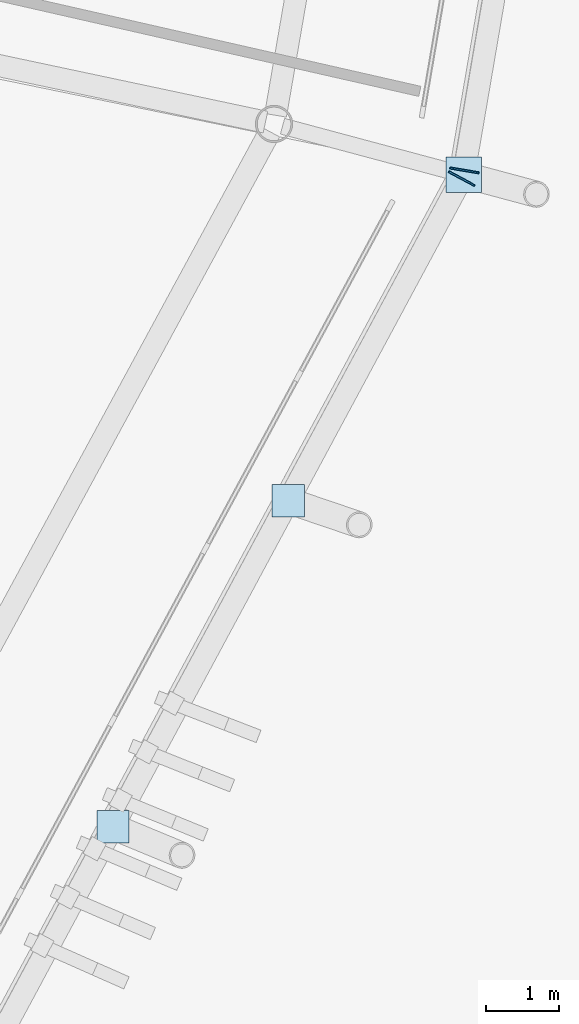
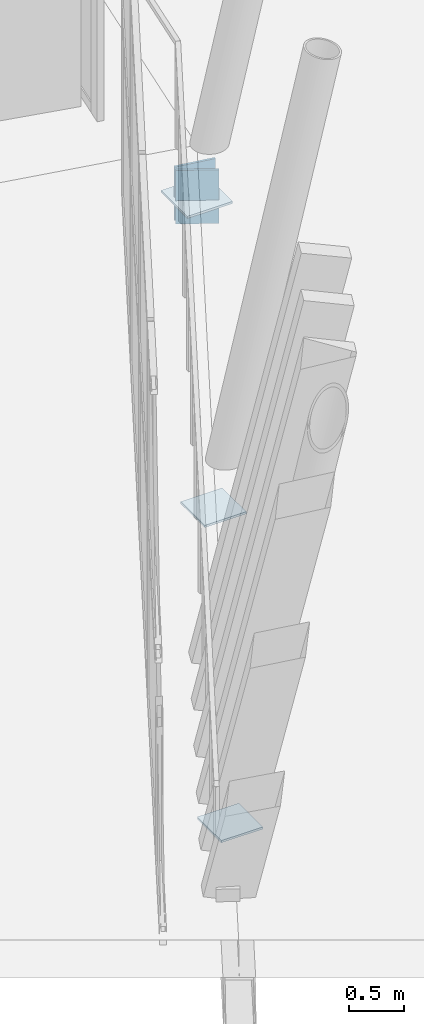
# One storey, part 113 of 179: 5 plates.
"""IFC4 building model written with IfcOpenShell, lengths in metres."""

from ifc_helpers import new_model, si_unit, direction, frame, origin, origin_2d, place, context, subcontext, project, spatial, rectangle, extrude, material, layer, layer_set, type_object, element, save


model = new_model("IFC4")

# Units and contexts
model_context = context("Model", 3, precision=1e-05, world=origin(), true_north=direction((0.0, 1.0)))
body_context = subcontext(model_context, "Body", "Model", "MODEL_VIEW")
ifc_project = project(units=[si_unit("LENGTHUNIT", "METRE"), si_unit("AREAUNIT", "SQUARE_METRE"), si_unit("VOLUMEUNIT", "CUBIC_METRE"), si_unit("PLANEANGLEUNIT", "RADIAN"), si_unit("MASSUNIT", "GRAM", prefix="KILO")], contexts=[model_context])

# Site, building, storey
site_placement = place(None, origin())
site = spatial("IfcSite", under=ifc_project, at=site_placement, CompositionType="ELEMENT")
building_placement = place(site_placement, origin())
building = spatial("IfcBuilding", under=site, at=building_placement, Name="Zlatoyarsky Gate Stadium", CompositionType="ELEMENT")
storey_placement = place(building_placement, frame((0.0, 0.0, 10.60009765625)))
storey = spatial("IfcBuildingStorey", under=building, at=storey_placement, Name="L02", CompositionType="ELEMENT", Elevation=10.60009765625)

# Plates
ifc_material = material(Name="Steel S355", Category="steel")
ifc_layer = layer(ifc_material, 0.02392578125)
ifc_layer_set = layer_set([ifc_layer], Name="Steel S355")
plate_type = type_object("IfcPlateType", Name="STEEL HOLLOW CHORD SPLICE SHEET 24", PredefinedType="SHEET", material=ifc_layer_set)
for number, where, z_axis, x_axis, name in (
    (1, (203.387451171875, 60.87841796875, -0.830078125), (0.0, 0.0, 1.0), (0.473712307926, 0.880679651928, 0.0), "Hollow end cap ND-SP1 CAP-L02-SPD-22 B"),
    (2, (203.42578125, 60.990478515625, -0.830078125), (0.0, 0.0, 1.0), (0.168520891179, 0.985698082192, 0.0), "Hollow end cap ND-SP1 CAP-L02-SPD-23 A"),
):
    element("IfcPlate", number, at=place(storey_placement, frame(where, z_axis=z_axis, x_axis=x_axis)), inside=storey, type_object=plate_type, Name=name, PredefinedType="SHEET", context=body_context, shape_type="SweptSolid", body=[
        extrude(rectangle(XDim=0.02392578125, YDim=0.39990234375, at=origin_2d()), origin(), (0.0, 0.0, 1.0), 0.60009765625),
    ])
plate_placement = place(storey_placement, frame((203.415771484375, 60.931396484375, -0.592041015625), z_axis=(0.0, 0.0, 1.0), x_axis=(1.0, 0.0, 0.0)))
element("IfcPlate", 3, at=plate_placement, inside=storey, type_object=plate_type, Name="Node closure plate ND-SP1 NCAP-L02-RSTR-23", PredefinedType="SHEET", context=body_context, shape_type="SweptSolid", body=[
    extrude(rectangle(XDim=0.47998046875, YDim=0.47998046875, at=origin_2d()), origin(), (0.0, 0.0, 1.0), 0.02392578125),
])
for number, where, z_axis, x_axis, name in (
    (4, (198.63671875, 52.046630859375, -0.5419921875), (0.0, 0.0, 1.0), (1.0, 0.0, 0.0), "Node closure plate ND-SP1 NCAP-RIB-22-2-0T"),
    (5, (201.0263671875, 56.489013671875, -0.5419921875), (0.0, 0.0, 1.0), (1.0, 0.0, 0.0), "Node closure plate ND-SP1 NCAP-RIB-22-3-0T"),
):
    element("IfcPlate", number, at=place(storey_placement, frame(where, z_axis=z_axis, x_axis=x_axis)), inside=storey, type_object=plate_type, Name=name, PredefinedType="SHEET", context=body_context, shape_type="SweptSolid", body=[
        extrude(rectangle(XDim=0.43994140625, YDim=0.43994140625, at=origin_2d()), origin(), (0.0, 0.0, 1.0), 0.02392578125),
    ])

save(model, "model.ifc")
